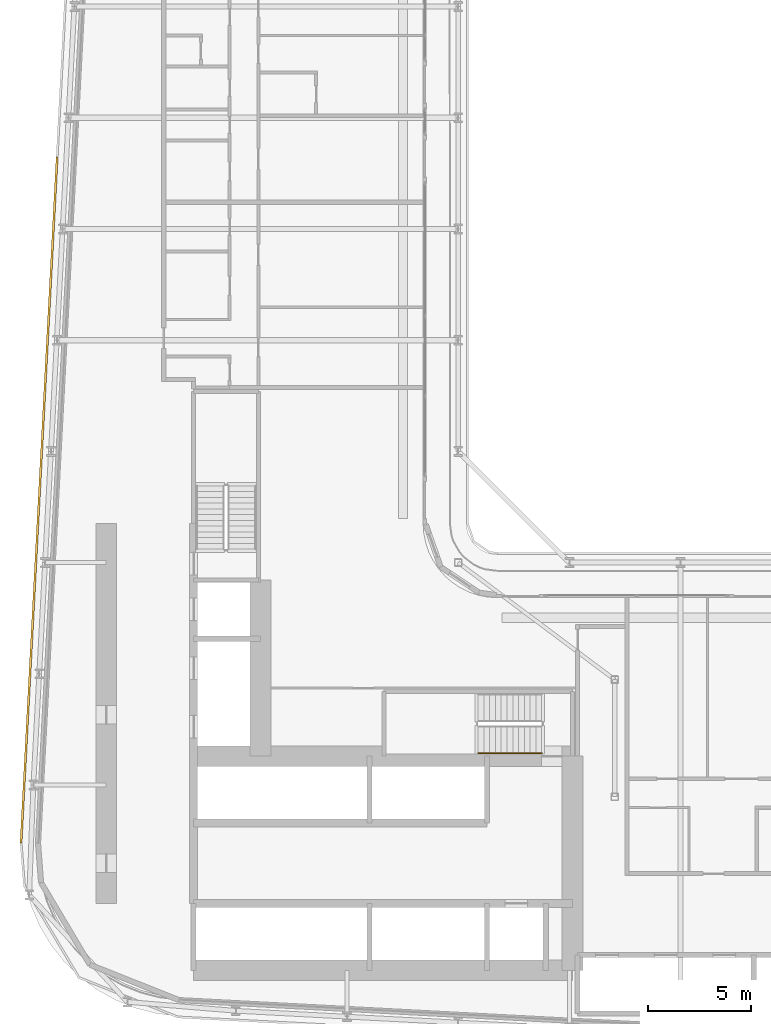
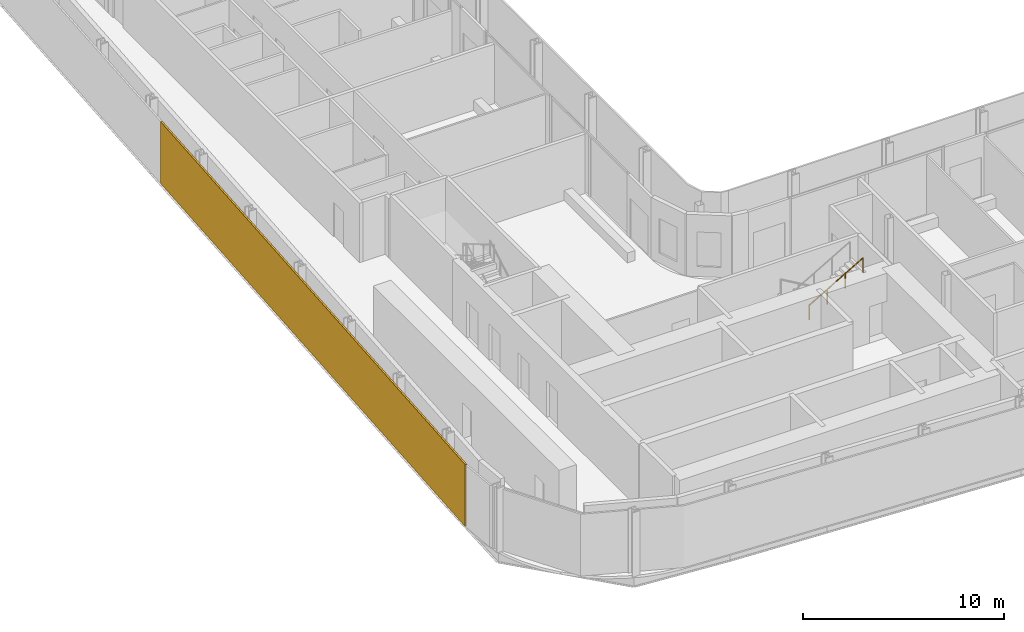
# One storey, part 21 of 27: 1 railing, 1 shading device.
"""IFC4 building model written with IfcOpenShell, lengths in metres."""

from ifc_helpers import new_model, si_unit, direction, frame, origin, origin_2d, place, context, subcontext, project, spatial, rectangle, circle, extrude, material, layer, layer_set, type_object, element, save


model = new_model("IFC4")

# Units and contexts
model_context = context("Model", 3, precision=1e-05, world=origin(), true_north=direction((0.0, 1.0)))
body_context = subcontext(model_context, "Body", "Model", "MODEL_VIEW")
ifc_project = project(units=[si_unit("LENGTHUNIT", "METRE"), si_unit("AREAUNIT", "SQUARE_METRE"), si_unit("VOLUMEUNIT", "CUBIC_METRE"), si_unit("PLANEANGLEUNIT", "RADIAN"), si_unit("MASSUNIT", "GRAM", prefix="KILO")], contexts=[model_context])

# Site, building, storey
site_placement = place(None, origin())
site = spatial("IfcSite", under=ifc_project, at=site_placement, CompositionType="ELEMENT")
building_placement = place(site_placement, origin())
building = spatial("IfcBuilding", under=site, at=building_placement, Name="Kheshtan School and Residences Tower", CompositionType="ELEMENT")
storey_placement = place(building_placement, frame((0.0, 0.0, 50.0)))
storey = spatial("IfcBuildingStorey", under=building, at=storey_placement, Name="L11", CompositionType="ELEMENT", Elevation=50.0)

# Shading device
ifc_material_1 = material(Name="Terracotta baguette, extruded ceramic", Category="masonry")
ifc_layer = layer(ifc_material_1, 0.10009765625)
ifc_layer_set = layer_set([ifc_layer], Name="Ledge screen, terracotta baguettes")
shading_device_type = type_object("IfcShadingDeviceType", Name="Ledge screen, terracotta baguettes", PredefinedType="USERDEFINED", material=ifc_layer_set)
shading_device_placement = place(storey_placement, frame((27.24609375, 48.638916015625, 0.0), z_axis=(0.0, 0.0, 1.0), x_axis=(0.052562536748, 0.998617634398, 0.0)))
element("IfcShadingDevice", 1, at=shading_device_placement, inside=storey, type_object=shading_device_type, Name="Screen L11 4", ObjectType="BAGUETTE", PredefinedType="USERDEFINED", context=body_context, shape_type="SweptSolid", body=[
    extrude(rectangle(XDim=33.341064453125, YDim=0.10009765625, at=origin_2d()), origin(), (0.0, 0.0, 1.0), 3.75),
])

# Railing
ifc_material_2 = material(Name="Stainless steel handrail", Category="steel")
railing_type = type_object("IfcRailingType", Name="Stair handrail 900", PredefinedType="HANDRAIL", material=ifc_material_2)
railing_placement = place(storey_placement, frame((48.570068359375, 36.35009765625, 2.112548828125)))
element("IfcRailing", 2, at=railing_placement, inside=storey, type_object=railing_type, Name="L11 ST1 stair handrail 2", PredefinedType="HANDRAIL", context=body_context, shape_type="SweptSolid", body=[
    extrude(circle(Radius=0.02392578125, at=origin_2d()), frame((0.0, 0.0, 0.8759765625), z_axis=(0.864903211148, 0.0, 0.501938676878), x_axis=(0.0, 1.0, 0.0)), (0.0, 0.0, 1.0), 3.560791015625),
    extrude(circle(Radius=0.02099609375, at=origin_2d()), origin(), (0.0, 0.0, 1.0), 0.851806640625),
    extrude(circle(Radius=0.02099609375, at=origin_2d()), frame((1.026611328125, 0.0, 0.595703125)), (0.0, 0.0, 1.0), 0.851806640625),
    extrude(circle(Radius=0.02099609375, at=origin_2d()), frame((2.05322265625, 0.0, 1.191650390625)), (0.0, 0.0, 1.0), 0.851806640625),
    extrude(circle(Radius=0.02099609375, at=origin_2d()), frame((3.079833984375, 0.0, 1.787353515625)), (0.0, 0.0, 1.0), 0.851806640625),
])

save(model, "model.ifc")
